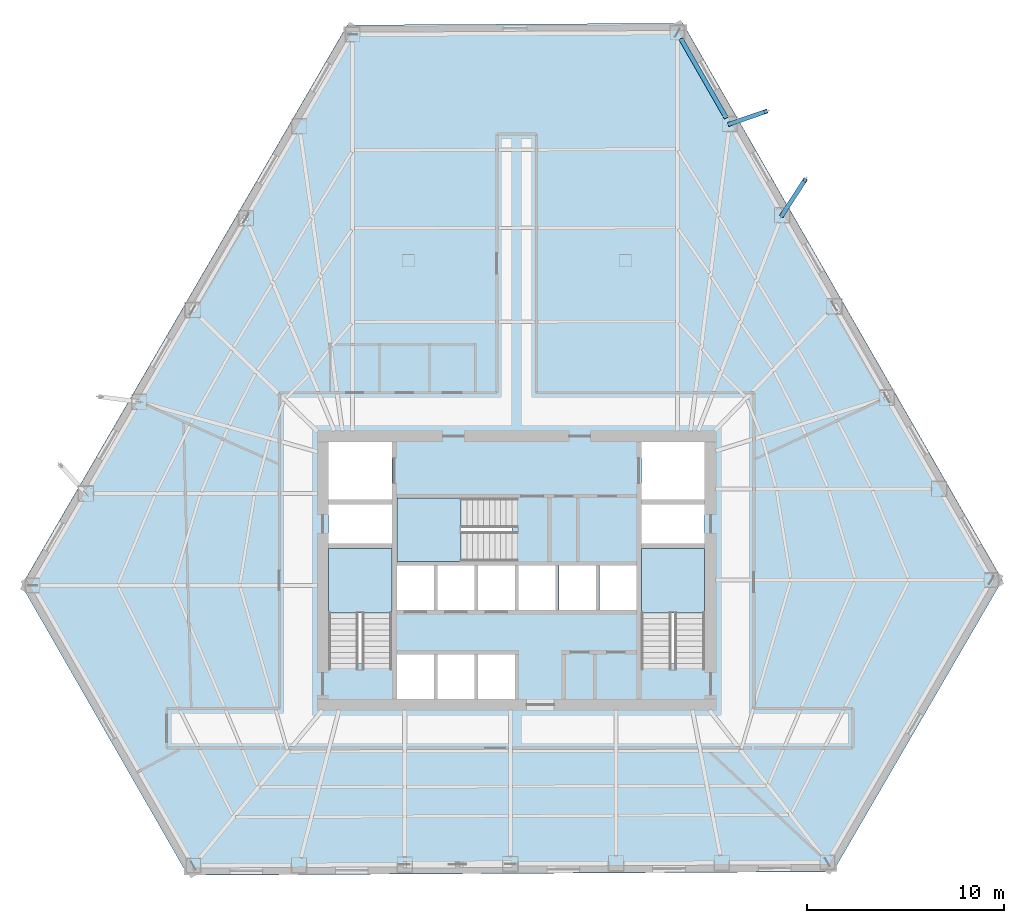
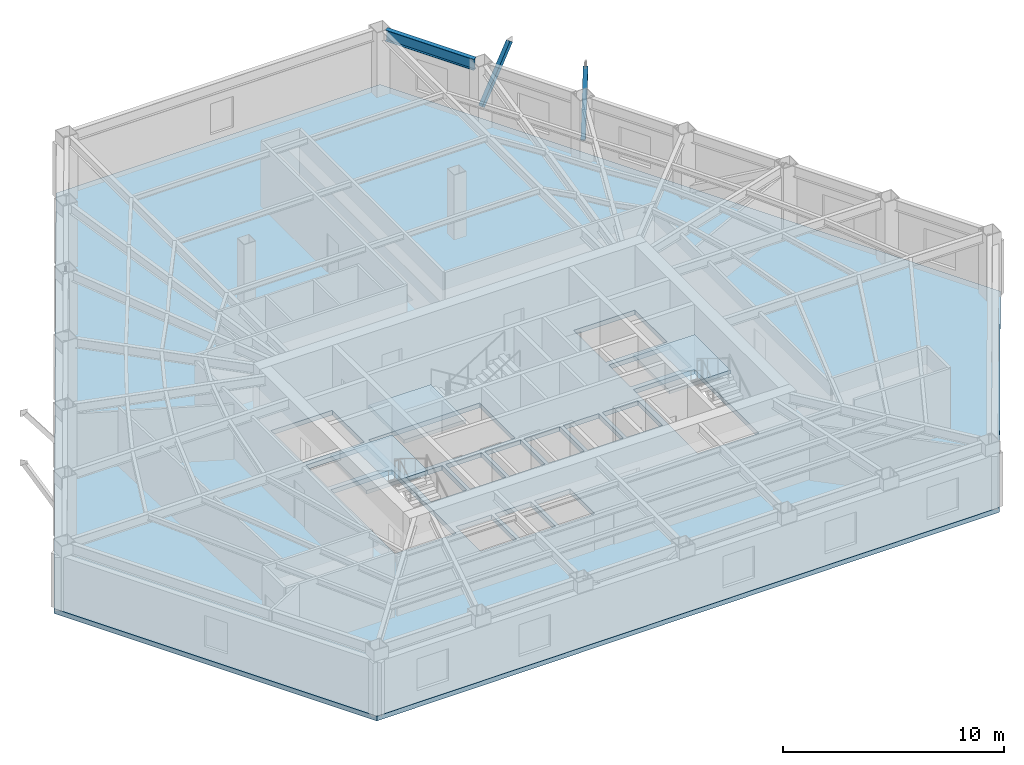
# One storey, part 3 of 12: 4 slabs, 2 members, 1 beam, 3 elements without a shape of their own.
"""IFC4 building model written with IfcOpenShell, lengths in metres."""

import ifcopenshell
import ifcopenshell.guid

model = None  # the IFC model being written
_history = None  # IfcOwnerHistory: only IFC2X3 demands one
_inside = {}  # id of a spatial element -> (the spatial element, [elements in it])
_under = {}  # id of a project, library or spatial element -> (it, [spatial elements below it])
_declared = {}  # id of a project -> (the project, [libraries it declares])
_typed = {}  # id of a type object -> (the type object, [elements of that type])
_made_of = {}  # id of a material, layer set ... -> (it, [elements and type objects made of it])


def new_model(schema):
    """Start an empty IFC model of exactly this schema.

    Asked for "IFC4X3", IfcOpenShell would pick the latest addendum, in which some entities
    have other attributes; the version numbers below select the first issue.
    IFC2X3 requires an IfcOwnerHistory on every rooted entity: one is made here for all.
    """
    global model, _history
    if schema == "IFC4X3":
        model = ifcopenshell.file(schema_version=(4, 3, 0, 0))
    else:
        model = ifcopenshell.file(schema=schema)
    _inside.clear()
    _under.clear()
    _declared.clear()
    _typed.clear()
    _made_of.clear()
    _history = None
    if model.schema == "IFC2X3":
        org = make("IfcOrganization", Name="unknown")
        user = make(
            "IfcPersonAndOrganization",
            ThePerson=make("IfcPerson", FamilyName="unknown"),
            TheOrganization=org,
        )
        app = make(
            "IfcApplication",
            ApplicationDeveloper=org,
            Version="unknown",
            ApplicationFullName="unknown",
            ApplicationIdentifier="unknown",
        )
        _history = make(
            "IfcOwnerHistory",
            OwningUser=user,
            OwningApplication=app,
            ChangeAction="ADDED",
            CreationDate=0,
        )
    return model


def make(cls, **values):
    """One entity of the class cls with the attributes given. An attribute that is None is left unset."""
    return model.create_entity(
        cls, **{name: value for name, value in values.items() if value is not None}
    )


def rooted(cls, **values):
    """An entity with a GlobalId (a new one), such as an element, a storey or a relation."""
    return make(cls, GlobalId=ifcopenshell.guid.new(), OwnerHistory=_history, **values)


def si_unit(unit_type, name, prefix=None):
    """IfcSIUnit, for example si_unit("LENGTHUNIT", "METRE", prefix="MILLI")."""
    return make("IfcSIUnit", UnitType=unit_type, Prefix=prefix, Name=name)


def assignment(units):
    """IfcUnitAssignment: the units of a project."""
    return None if units is None else make("IfcUnitAssignment", Units=units)


def point(xyz):
    """IfcCartesianPoint."""
    return None if xyz is None else make("IfcCartesianPoint", Coordinates=xyz)


def direction(xyz):
    """IfcDirection."""
    return None if xyz is None else make("IfcDirection", DirectionRatios=xyz)


def frame(location, z_axis=None, x_axis=None):
    """IfcAxis2Placement3D, a coordinate frame: its origin and axes. An axis left out is left unset."""
    return make(
        "IfcAxis2Placement3D",
        Location=point(location),
        Axis=direction(z_axis),
        RefDirection=direction(x_axis),
    )


def frame_2d(location, x_axis=None):
    """IfcAxis2Placement2D, a coordinate frame in the plane: its origin and x axis."""
    return make(
        "IfcAxis2Placement2D", Location=point(location), RefDirection=direction(x_axis)
    )


def origin():
    """The frame at (0, 0, 0) with its axes left unset."""
    return frame((0.0, 0.0, 0.0))


def origin_2d():
    """The frame at (0, 0) in the plane with its x axis left unset."""
    return frame_2d((0.0, 0.0))


def place(relative_to, where):
    """IfcLocalPlacement: puts the frame where relative to a parent placement (None: the world)."""
    return make(
        "IfcLocalPlacement", PlacementRelTo=relative_to, RelativePlacement=where
    )


def context(
    kind, dimensions, precision=None, world=None, true_north=None, identifier=None
):
    """IfcGeometricRepresentationContext, for example the 3D "Model" context."""
    return make(
        "IfcGeometricRepresentationContext",
        ContextIdentifier=identifier,
        ContextType=kind,
        CoordinateSpaceDimension=dimensions,
        Precision=precision,
        WorldCoordinateSystem=world,
        TrueNorth=true_north,
    )


def subcontext(parent, identifier, kind, view, scale=None):
    """IfcGeometricRepresentationSubContext, for example "Body" below "Model"."""
    return make(
        "IfcGeometricRepresentationSubContext",
        ContextIdentifier=identifier,
        ContextType=kind,
        ParentContext=parent,
        TargetScale=scale,
        TargetView=view,
    )


def project(units=None, contexts=None):
    """IfcProject with its units and contexts."""
    return rooted(
        "IfcProject",
        Name="project",
        RepresentationContexts=contexts,
        UnitsInContext=assignment(units),
    )


def spatial(cls, under=None, at=None, **own):
    """A site, building, storey or space (cls), placed at a placement, below another one or the project."""
    s = rooted(cls, ObjectPlacement=at, **own)
    if under is not None:
        _under.setdefault(under.id(), (under, []))[1].append(s)
    return s


def polyline(points):
    """IfcPolyline through the points."""
    return make("IfcPolyline", Points=[point(p) for p in points])


def profile(cls, at=None, kind="AREA", **sizes):
    """A parametric profile (cls). Its sizes go by their IFC names, for example OverallWidth=200.0."""
    return make(cls, ProfileType=kind, Position=at, **sizes)


def hollow_rectangle(**sizes):
    """IfcRectangleHollowProfileDef."""
    return profile("IfcRectangleHollowProfileDef", **sizes)


def i_section(**sizes):
    """IfcIShapeProfileDef."""
    return profile("IfcIShapeProfileDef", **sizes)


def outline(outer, holes=None, kind="AREA"):
    """IfcArbitraryClosedProfileDef: a profile drawn as a closed curve; with holes, ...WithVoids."""
    if holes is None:
        return make("IfcArbitraryClosedProfileDef", ProfileType=kind, OuterCurve=outer)
    return make(
        "IfcArbitraryProfileDefWithVoids",
        ProfileType=kind,
        OuterCurve=outer,
        InnerCurves=holes,
    )


def extrude(swept, where, along, depth):
    """IfcExtrudedAreaSolid: the profile swept, set in the frame where, extruded along a direction by depth."""
    return make(
        "IfcExtrudedAreaSolid",
        SweptArea=swept,
        Position=where,
        ExtrudedDirection=direction(along),
        Depth=depth,
    )


def shape(context_of_items, identifier, shape_type, items):
    """IfcShapeRepresentation: the items that make up one representation, for example the "Body"."""
    return make(
        "IfcShapeRepresentation",
        ContextOfItems=context_of_items,
        RepresentationIdentifier=identifier,
        RepresentationType=shape_type,
        Items=items,
    )


def material(Name=None, Category=None):
    """IfcMaterial."""
    return make("IfcMaterial", Name=Name, Category=Category)


def layer(
    of_material, thickness, ventilated=None, Name=None, Category=None, Priority=None
):
    """IfcMaterialLayer: one layer of a wall or slab, of a material (None: an air gap)."""
    return make(
        "IfcMaterialLayer",
        Material=of_material,
        LayerThickness=thickness,
        IsVentilated=ventilated,
        Name=Name,
        Category=Category,
        Priority=Priority,
    )


def layer_set(layers, Name=None):
    """IfcMaterialLayerSet."""
    return make("IfcMaterialLayerSet", MaterialLayers=layers, LayerSetName=Name)


def material_profile(
    of_material, cross_section, Name=None, Category=None, Priority=None
):
    """IfcMaterialProfile: a cross section and its material."""
    return make(
        "IfcMaterialProfile",
        Name=Name,
        Material=of_material,
        Profile=cross_section,
        Priority=Priority,
        Category=Category,
    )


def profile_set(profiles, Name=None, composite=None):
    """IfcMaterialProfileSet."""
    return make(
        "IfcMaterialProfileSet",
        Name=Name,
        MaterialProfiles=profiles,
        CompositeProfile=composite,
    )


def made_of(thing, what):
    """Note that an element or type object is made of a material, layer set ...; save() writes the relation."""
    if what is not None:
        _made_of.setdefault(what.id(), (what, []))[1].append(thing)
    return thing


def type_object(cls, material=None, **own):
    """A type object (cls), such as IfcWallType, which elements share."""
    return made_of(rooted(cls, **own), material)


def element(
    cls,
    number,
    at=None,
    inside=None,
    cuts=None,
    type_object=None,
    material=None,
    context=None,
    identifier="Body",
    shape_type=None,
    held_by="IfcProductDefinitionShape",
    body=None,
    shapes=None,
    **own,
):
    """One element of the class cls, such as IfcWall. Its Tag is "e" and its number.

    at: its placement. inside: the storey or other place that contains it. cuts: it is an
    opening in that element (IfcRelVoidsElement). A single representation is given by context,
    identifier, shape_type and body (its items); several are given by shapes. held_by: the class
    of the entity that holds the representations. save() writes the other relations.
    """
    e = rooted(cls, Tag="e%d" % number, ObjectPlacement=at, **own)
    if body is not None:
        shapes = [shape(context, identifier, shape_type, body)]
    if shapes is not None:
        e.Representation = make(held_by, Representations=shapes)
    if inside is not None:
        _inside.setdefault(inside.id(), (inside, []))[1].append(e)
    if cuts is not None:
        rooted(
            "IfcRelVoidsElement", RelatingBuildingElement=cuts, RelatedOpeningElement=e
        )
    if type_object is not None:
        _typed.setdefault(type_object.id(), (type_object, []))[1].append(e)
    return made_of(e, material)


def aggregate(whole, parts):
    """IfcRelAggregates: a whole, such as a stair, and the parts it consists of."""
    return rooted("IfcRelAggregates", RelatingObject=whole, RelatedObjects=parts)


def save(model, path):
    """Write the relations noted so far, then the file.

    IfcRelAggregates (storeys below a building ...), IfcRelContainedInSpatialStructure (elements
    in a storey), IfcRelDefinesByType, IfcRelAssociatesMaterial and IfcRelDeclares: one each for
    every whole, place, type object, material and project.
    """
    for whole, parts in _under.values():
        aggregate(whole, parts)
    for where, things in _inside.values():
        rooted(
            "IfcRelContainedInSpatialStructure",
            RelatedElements=things,
            RelatingStructure=where,
        )
    for kind, things in _typed.values():
        rooted("IfcRelDefinesByType", RelatedObjects=things, RelatingType=kind)
    for what, things in _made_of.values():
        rooted("IfcRelAssociatesMaterial", RelatedObjects=things, RelatingMaterial=what)
    for by, libraries in _declared.values():
        rooted("IfcRelDeclares", RelatingContext=by, RelatedDefinitions=libraries)
    model.write(path)


model = new_model("IFC4")

# Units and contexts
model_context = context("Model", 3, precision=1e-05, world=origin(), true_north=direction((0.0, 1.0)))
body_context = subcontext(model_context, "Body", "Model", "MODEL_VIEW")
ifc_project = project(units=[si_unit("LENGTHUNIT", "METRE"), si_unit("AREAUNIT", "SQUARE_METRE"), si_unit("VOLUMEUNIT", "CUBIC_METRE"), si_unit("PLANEANGLEUNIT", "RADIAN"), si_unit("MASSUNIT", "GRAM", prefix="KILO")], contexts=[model_context])

# Site, building, storey
site_placement = place(None, origin())
site = spatial("IfcSite", under=ifc_project, at=site_placement, CompositionType="ELEMENT")
building_placement = place(site_placement, origin())
building = spatial("IfcBuilding", under=site, at=building_placement, Name="Kavelnor Concourse Tower", CompositionType="ELEMENT")
storey_placement = place(building_placement, frame((0.0, 0.0, 6.0)))
storey = spatial("IfcBuildingStorey", under=building, at=storey_placement, Name="L01", CompositionType="ELEMENT", Elevation=6.0)

# Beam
ifc_material_1 = material(Name="Steel Grade 350", Category="steel")
ifc_material_profile_1 = material_profile(ifc_material_1, i_section(OverallWidth=0.22900390625, OverallDepth=0.612060546875, WebThickness=0.011962890625, FlangeThickness=0.01953125, at=origin_2d()), Name="610UB125")
ifc_profile_set_1 = profile_set([ifc_material_profile_1], Name="Steel Grade 350")
beam_type = type_object("IfcBeamType", Name="BM-SPANDREL-Z1", PredefinedType="SPANDREL", material=ifc_profile_set_1)
beam_placement = place(storey_placement, frame((48.6240234375, 39.01708984375, 3.283935546875), z_axis=(-0.497635042687, 0.867386513782, 0.0), x_axis=(-0.867386513782, -0.497635042687, 0.0)))
element("IfcBeam", 1, at=beam_placement, inside=storey, type_object=beam_type, Name="L01 Perimeter Tube Spandrel Beam F2-B5", PredefinedType="SPANDREL", context=body_context, shape_type="SweptSolid", body=[
    extrude(i_section(OverallWidth=0.22900390625, OverallDepth=0.612060546875, WebThickness=0.011962890625, FlangeThickness=0.01953125, at=origin_2d()), origin(), (0.0, 0.0, 1.0), 4.63720703125),
])

# Members
ifc_material_profile_2 = material_profile(ifc_material_1, hollow_rectangle(XDim=0.219970703125, YDim=0.219970703125, WallThickness=0.013916015625, at=origin_2d()), Name="SHS 220x220x14")
ifc_profile_set_2 = profile_set([ifc_material_profile_2], Name="Steel Grade 350")
member_type = type_object("IfcMemberType", Name="MBR-BALC-STRUT-220", PredefinedType="STRUT", material=ifc_profile_set_2)
member_1_placement = place(storey_placement, frame((51.44677734375, 34.0966796875, 1.050048828125), z_axis=(0.344713805708, 0.529205448349, 0.775315410392), x_axis=(-0.837914878349, 0.545800931331, 0.0)))
element("IfcMember", 2, at=member_1_placement, inside=storey, type_object=member_type, Name="L01 Tree Balcony Raking Knee Strut 1-A", PredefinedType="STRUT", context=body_context, shape_type="SweptSolid", body=[
    extrude(hollow_rectangle(XDim=0.219970703125, YDim=0.219970703125, WallThickness=0.013916015625, at=origin_2d()), origin(), (0.0, 0.0, 1.0), 3.35986328125),
])
member_2_placement = place(storey_placement, frame((48.7958984375, 38.7177734375, 1.050048828125), z_axis=(0.562737663708, 0.194281168522, 0.803480646563), x_axis=(-0.326341496328, 0.945251938784, 0.0)))
element("IfcMember", 3, at=member_2_placement, inside=storey, type_object=member_type, Name="L01 Tree Balcony Raking Knee Strut 1-B", PredefinedType="STRUT", context=body_context, shape_type="SweptSolid", body=[
    extrude(hollow_rectangle(XDim=0.219970703125, YDim=0.219970703125, WallThickness=0.013916015625, at=origin_2d()), origin(), (0.0, 0.0, 1.0), 3.2421875),
])

# Stair, slab
ifc_material_2 = material(Name="Concrete C40/50", Category="concrete")
stair_type = type_object("IfcStairType", Name="STR-CORE-1500", PredefinedType="HALF_TURN_STAIR", material=ifc_material_2)
stair_1_placement = place(storey_placement, origin())
stair_1 = element("IfcStair", 4, at=stair_1_placement, inside=storey, type_object=stair_type, Name="L01 ST1", PredefinedType="HALF_TURN_STAIR")
ifc_layer_1 = layer(ifc_material_2, 0.199951171875, Name="Concrete C40/50")
ifc_layer_set_1 = layer_set([ifc_layer_1], Name="Concrete C40/50")
slab_type_1 = type_object("IfcSlabType", Name="SLB-LANDING-200", PredefinedType="LANDING", material=ifc_layer_set_1)
slab_1_placement = place(storey_placement, frame((0.0, 0.0, 1.72509765625)))
slab_1 = element("IfcSlab", 5, at=slab_1_placement, type_object=slab_type_1, Name="ST1 landing 1", PredefinedType="LANDING", context=body_context, shape_type="SweptSolid", body=[
    extrude(outline(polyline([(31.679931640625, 13.949951171875), (31.679931640625, 17.199951171875), (28.47998046875, 17.199951171875), (28.47998046875, 13.949951171875), (31.679931640625, 13.949951171875)])), origin(), (0.0, 0.0, 1.0), 0.199951171875),
])
aggregate(stair_1, [slab_1])

stair_2_placement = place(storey_placement, origin())
stair_2 = element("IfcStair", 6, at=stair_2_placement, inside=storey, type_object=stair_type, Name="L01 ST2", PredefinedType="HALF_TURN_STAIR")
slab_2_placement = place(storey_placement, frame((0.0, 0.0, 1.72509765625)))
slab_2 = element("IfcSlab", 7, at=slab_2_placement, type_object=slab_type_1, Name="ST2 landing 1", PredefinedType="LANDING", context=body_context, shape_type="SweptSolid", body=[
    extrude(outline(polyline([(47.52001953125, 13.949951171875), (47.52001953125, 17.199951171875), (44.320068359375, 17.199951171875), (44.320068359375, 13.949951171875), (47.52001953125, 13.949951171875)])), origin(), (0.0, 0.0, 1.0), 0.199951171875),
])
aggregate(stair_2, [slab_2])

stair_3_placement = place(storey_placement, origin())
stair_3 = element("IfcStair", 8, at=stair_3_placement, inside=storey, type_object=stair_type, Name="L01 ST3", PredefinedType="HALF_TURN_STAIR")
slab_3_placement = place(storey_placement, frame((0.0, 0.0, 1.72509765625)))
slab_3 = element("IfcSlab", 9, at=slab_3_placement, type_object=slab_type_1, Name="ST3 landing 1", PredefinedType="LANDING", context=body_context, shape_type="SweptSolid", body=[
    extrude(outline(polyline([(35.18994140625, 19.760009765625), (31.93994140625, 19.760009765625), (31.93994140625, 16.56005859375), (35.18994140625, 16.56005859375), (35.18994140625, 19.760009765625)])), origin(), (0.0, 0.0, 1.0), 0.199951171875),
])
aggregate(stair_3, [slab_3])

# Slab
ifc_layer_2 = layer(ifc_material_2, 0.260009765625, Name="Concrete C40/50")
ifc_layer_set_2 = layer_set([ifc_layer_2], Name="Concrete C40/50")
slab_type_2 = type_object("IfcSlabType", Name="SLB-OFFICE-260", PredefinedType="FLOOR", material=ifc_layer_set_2)
slab_4_placement = place(storey_placement, frame((0.0, 0.0, -0.260009765625)))
element("IfcSlab", 10, at=slab_4_placement, inside=storey, type_object=slab_type_2, Name="L01 Composite Structural Floor Slab", PredefinedType="FLOOR", context=body_context, shape_type="SweptSolid", body=[
    extrude(outline(polyline([(46.421875, 43.820068359375), (29.41748046875, 43.727294921875), (12.925537109375, 15.3408203125), (21.347412109375, 0.660888671875), (54.022705078125, 0.839111328125), (62.60498046875, 15.61181640625), (46.421875, 43.820068359375)]), holes=[polyline([(28.47998046875, 11.3798828125), (31.679931640625, 11.3798828125), (31.679931640625, 17.199951171875), (28.47998046875, 17.199951171875), (28.47998046875, 11.3798828125)]), polyline([(44.320068359375, 11.3798828125), (47.52001953125, 11.3798828125), (47.52001953125, 17.199951171875), (44.320068359375, 17.199951171875), (44.320068359375, 11.3798828125)]), polyline([(31.93994140625, 16.56005859375), (37.760009765625, 16.56005859375), (37.760009765625, 19.760009765625), (31.93994140625, 19.760009765625), (31.93994140625, 16.56005859375)]), polyline([(28.47998046875, 19.699951171875), (31.679931640625, 19.699951171875), (31.679931640625, 22.60009765625), (28.47998046875, 22.60009765625), (28.47998046875, 19.699951171875)]), polyline([(44.320068359375, 19.699951171875), (47.52001953125, 19.699951171875), (47.52001953125, 22.60009765625), (44.320068359375, 22.60009765625), (44.320068359375, 19.699951171875)]), polyline([(31.93994140625, 14.10009765625), (33.81005859375, 14.10009765625), (33.81005859375, 16.340087890625), (31.93994140625, 16.340087890625), (31.93994140625, 14.10009765625)]), polyline([(33.989990234375, 14.10009765625), (35.860107421875, 14.10009765625), (35.860107421875, 16.340087890625), (33.989990234375, 16.340087890625), (33.989990234375, 14.10009765625)]), polyline([(36.0400390625, 14.10009765625), (37.909912109375, 14.10009765625), (37.909912109375, 16.340087890625), (36.0400390625, 16.340087890625), (36.0400390625, 14.10009765625)]), polyline([(38.090087890625, 14.10009765625), (39.9599609375, 14.10009765625), (39.9599609375, 16.340087890625), (38.090087890625, 16.340087890625), (38.090087890625, 14.10009765625)]), polyline([(40.139892578125, 14.10009765625), (42.010009765625, 14.10009765625), (42.010009765625, 16.340087890625), (40.139892578125, 16.340087890625), (40.139892578125, 14.10009765625)]), polyline([(42.18994140625, 14.10009765625), (44.06005859375, 14.10009765625), (44.06005859375, 16.340087890625), (42.18994140625, 16.340087890625), (42.18994140625, 14.10009765625)]), polyline([(31.93994140625, 9.60009765625), (33.81005859375, 9.60009765625), (33.81005859375, 11.840087890625), (31.93994140625, 11.840087890625), (31.93994140625, 9.60009765625)]), polyline([(33.989990234375, 9.60009765625), (35.860107421875, 9.60009765625), (35.860107421875, 11.840087890625), (33.989990234375, 11.840087890625), (33.989990234375, 9.60009765625)]), polyline([(36.0400390625, 9.60009765625), (37.909912109375, 9.60009765625), (37.909912109375, 11.840087890625), (36.0400390625, 11.840087890625), (36.0400390625, 9.60009765625)]), polyline([(28.47998046875, 17.4599609375), (31.679931640625, 17.4599609375), (31.679931640625, 19.43994140625), (28.47998046875, 19.43994140625), (28.47998046875, 17.4599609375)]), polyline([(44.320068359375, 17.4599609375), (47.52001953125, 17.4599609375), (47.52001953125, 19.43994140625), (44.320068359375, 19.43994140625), (44.320068359375, 17.4599609375)])]), origin(), (0.0, 0.0, 1.0), 0.260009765625),
])

save(model, "model.ifc")
